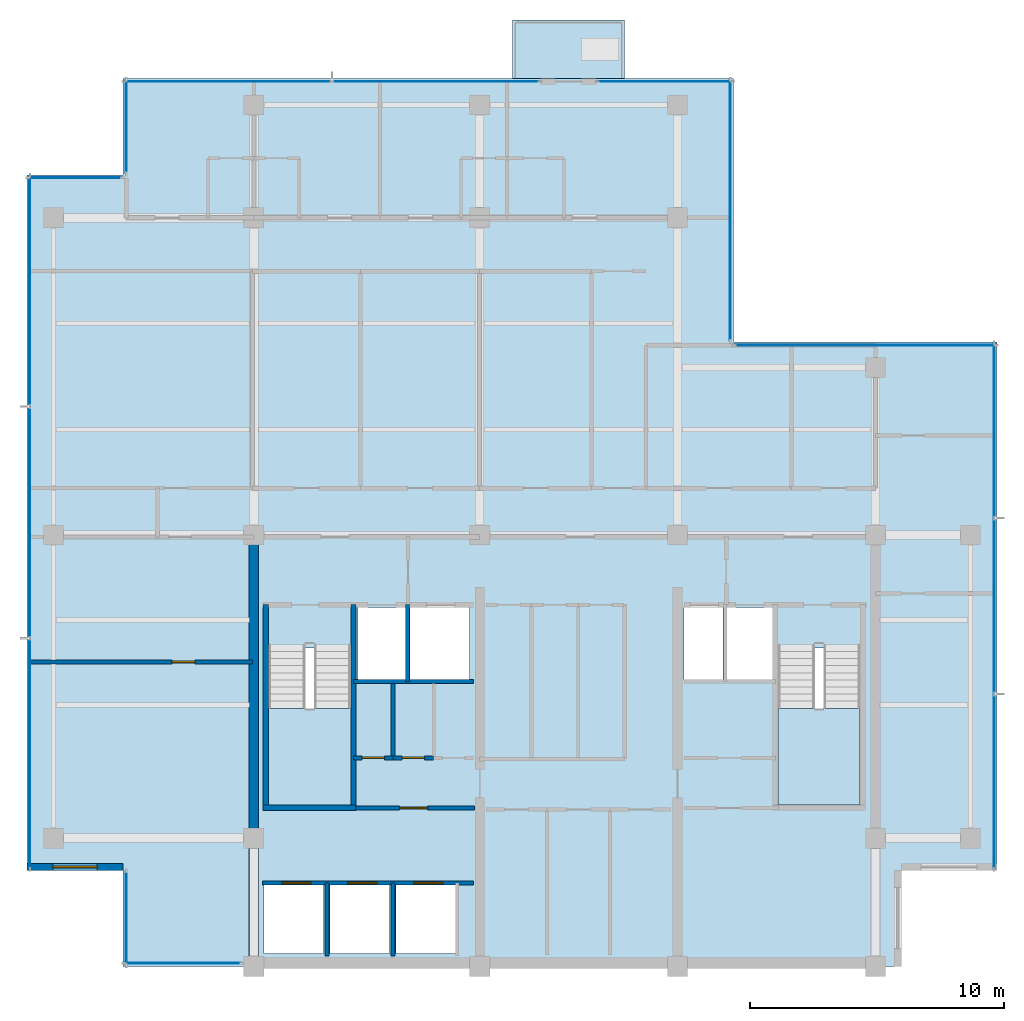
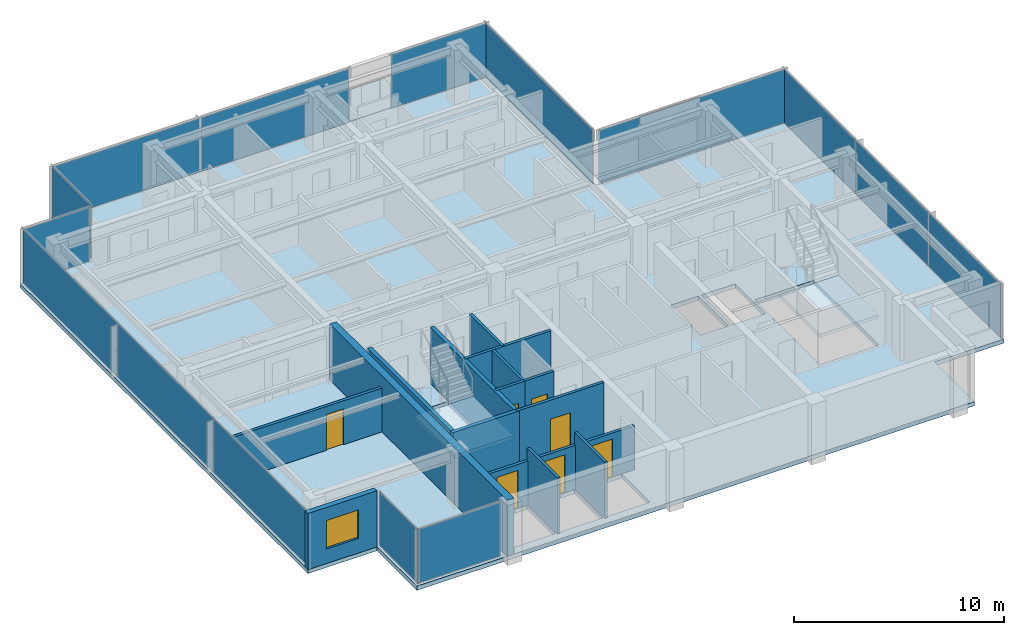
# One storey, part 5 of 12: 15 plates, 15 walls, 7 doors, 4 slabs, 1 window, 8 openings, 12 elements without a shape of their own.
"""IFC4 building model written with IfcOpenShell, lengths in metres."""

from ifc_helpers import new_model, si_unit, direction, frame, frame_2d, origin, origin_2d, place, context, subcontext, project, spatial, polyline, rectangle, outline, extrude, material, layer, layer_set, type_object, element, fill, aggregate, save


model = new_model("IFC4")

# Units and contexts
model_context = context("Model", 3, precision=1e-05, world=origin(), true_north=direction((0.0, 1.0)))
body_context = subcontext(model_context, "Body", "Model", "MODEL_VIEW")
ifc_project = project(units=[si_unit("LENGTHUNIT", "METRE"), si_unit("AREAUNIT", "SQUARE_METRE"), si_unit("VOLUMEUNIT", "CUBIC_METRE"), si_unit("PLANEANGLEUNIT", "RADIAN"), si_unit("MASSUNIT", "GRAM", prefix="KILO")], contexts=[model_context])

# Site, building, storey
site_placement = place(None, origin())
site = spatial("IfcSite", under=ifc_project, at=site_placement, CompositionType="ELEMENT")
building_placement = place(site_placement, origin())
building = spatial("IfcBuilding", under=site, at=building_placement, Name="Qalmaran Belvedere Hotel", CompositionType="ELEMENT")
storey_placement = place(building_placement, frame((0.0, 0.0, 252.89990234375)))
storey = spatial("IfcBuildingStorey", under=building, at=storey_placement, Name="L65", CompositionType="ELEMENT", Elevation=252.89990234375)

# Curtain wall, plate
ifc_material_1 = material(Name="Anodised Bronze Aluminium", Category="aluminium")
ifc_layer_1 = layer(ifc_material_1, 0.18505859375, Name="Anodised Bronze Aluminium")
ifc_layer_set_1 = layer_set([ifc_layer_1], Name="Anodised Bronze Aluminium")
curtain_wall_type = type_object("IfcCurtainWallType", Name="CW6-TOWER-SKY", PredefinedType="NOTDEFINED", material=ifc_layer_set_1)
curtain_wall_1_placement = place(storey_placement, origin())
curtain_wall_1 = element("IfcCurtainWall", 1, at=curtain_wall_1_placement, inside=storey, type_object=curtain_wall_type, Name="L65 Curtain Wall CW6", PredefinedType="NOTDEFINED")
ifc_material_2 = material(Name="Solar-Control Double Glazing", Category="glass")
ifc_layer_2 = layer(ifc_material_2, 0.028076171875, Name="Solar-Control Double Glazing")
ifc_layer_set_2 = layer_set([ifc_layer_2], Name="Solar-Control Double Glazing")
plate_type = type_object("IfcPlateType", Name="CWP-VISION-28", PredefinedType="CURTAIN_PANEL", material=ifc_layer_set_2)
plate_1_placement = place(storey_placement, frame((17.5048828125, 3.6201171875, 0.065185546875), z_axis=(0.0, 0.0, 1.0), x_axis=(1.0, 0.0, 0.0)))
plate_1 = element("IfcPlate", 2, at=plate_1_placement, type_object=plate_type, Name="CW6 panel 1.1", PredefinedType="CURTAIN_PANEL", context=body_context, shape_type="SweptSolid", body=[
    extrude(rectangle(XDim=4.580078125, YDim=0.028076171875, at=origin_2d()), origin(), (0.0, 0.0, 1.0), 3.1298828125),
])
aggregate(curtain_wall_1, [plate_1])

# Curtain wall, plates
curtain_wall_2_placement = place(storey_placement, origin())
curtain_wall_2 = element("IfcCurtainWall", 3, at=curtain_wall_2_placement, inside=storey, type_object=curtain_wall_type, Name="L65 Curtain Wall CW6", PredefinedType="NOTDEFINED")
plate_2_placement = place(storey_placement, frame((49.47998046875, 10.782958984375, 0.065185546875), z_axis=(0.0, 0.0, 1.0), x_axis=(0.0, 1.0, 0.0)))
plate_2 = element("IfcPlate", 4, at=plate_2_placement, type_object=plate_type, Name="CW6 panel 1.1", PredefinedType="CURTAIN_PANEL", context=body_context, shape_type="SweptSolid", body=[
    extrude(rectangle(XDim=6.8359375, YDim=0.028076171875, at=origin_2d()), origin(), (0.0, 0.0, 1.0), 3.1298828125),
])
plate_3_placement = place(storey_placement, frame((49.47998046875, 17.699951171875, 0.065185546875), z_axis=(0.0, 0.0, 1.0), x_axis=(0.0, 1.0, 0.0)))
plate_3 = element("IfcPlate", 5, at=plate_3_placement, type_object=plate_type, Name="CW6 panel 2.1", PredefinedType="CURTAIN_PANEL", context=body_context, shape_type="SweptSolid", body=[
    extrude(rectangle(XDim=6.868408203125, YDim=0.028076171875, at=origin_2d()), origin(), (0.0, 0.0, 1.0), 3.1298828125),
])
plate_4_placement = place(storey_placement, frame((49.47998046875, 24.6171875, 0.065185546875), z_axis=(0.0, 0.0, 1.0), x_axis=(0.0, 1.0, 0.0)))
plate_4 = element("IfcPlate", 6, at=plate_4_placement, type_object=plate_type, Name="CW6 panel 3.1", PredefinedType="CURTAIN_PANEL", context=body_context, shape_type="SweptSolid", body=[
    extrude(rectangle(XDim=6.8359375, YDim=0.028076171875, at=origin_2d()), origin(), (0.0, 0.0, 1.0), 3.1298828125),
])
aggregate(curtain_wall_2, [plate_2, plate_3, plate_4])

# Curtain wall, plate
curtain_wall_3_placement = place(storey_placement, origin())
curtain_wall_3 = element("IfcCurtainWall", 7, at=curtain_wall_3_placement, inside=storey, type_object=curtain_wall_type, Name="L65 Curtain Wall CW6", PredefinedType="NOTDEFINED")
plate_5_placement = place(storey_placement, frame((44.39990234375, 27.97998046875, 0.065185546875), z_axis=(0.0, 0.0, 1.0), x_axis=(-1.0, 0.0, 0.0)))
plate_5 = element("IfcPlate", 8, at=plate_5_placement, type_object=plate_type, Name="CW6 panel 1.1", PredefinedType="CURTAIN_PANEL", context=body_context, shape_type="SweptSolid", body=[
    extrude(rectangle(XDim=10.27001953125, YDim=0.028076171875, at=origin_2d()), origin(), (0.0, 0.0, 1.0), 3.1298828125),
])
aggregate(curtain_wall_3, [plate_5])

curtain_wall_4_placement = place(storey_placement, origin())
curtain_wall_4 = element("IfcCurtainWall", 9, at=curtain_wall_4_placement, inside=storey, type_object=curtain_wall_type, Name="L65 Curtain Wall CW6", PredefinedType="NOTDEFINED")
plate_6_placement = place(storey_placement, frame((39.080078125, 33.300048828125, 0.065185546875), z_axis=(0.0, 0.0, 1.0), x_axis=(0.0, 1.0, 0.0)))
plate_6 = element("IfcPlate", 10, at=plate_6_placement, type_object=plate_type, Name="CW6 panel 1.1", PredefinedType="CURTAIN_PANEL", context=body_context, shape_type="SweptSolid", body=[
    extrude(rectangle(XDim=10.27001953125, YDim=0.028076171875, at=origin_2d()), origin(), (0.0, 0.0, 1.0), 3.1298828125),
])
aggregate(curtain_wall_4, [plate_6])

# Curtain wall, plates
curtain_wall_5_placement = place(storey_placement, origin())
curtain_wall_5 = element("IfcCurtainWall", 11, at=curtain_wall_5_placement, inside=storey, type_object=curtain_wall_type, Name="L65 Curtain Wall CW6", PredefinedType="NOTDEFINED")
plate_7_placement = place(storey_placement, frame((27.47119140625, 38.3798828125, 0.065185546875), z_axis=(0.0, 0.0, 1.0), x_axis=(-1.0, 0.0, 0.0)))
plate_7 = element("IfcPlate", 12, at=plate_7_placement, type_object=plate_type, Name="CW6 panel 1.1", PredefinedType="CURTAIN_PANEL", context=body_context, shape_type="SweptSolid", body=[
    extrude(rectangle(XDim=8.12744140625, YDim=0.028076171875, at=origin_2d()), origin(), (0.0, 0.0, 1.0), 3.1298828125),
])
plate_8_placement = place(storey_placement, frame((19.27880859375, 38.3798828125, 0.065185546875), z_axis=(0.0, 0.0, 1.0), x_axis=(-1.0, 0.0, 0.0)))
plate_8 = element("IfcPlate", 13, at=plate_8_placement, type_object=plate_type, Name="CW6 panel 2.1", PredefinedType="CURTAIN_PANEL", context=body_context, shape_type="SweptSolid", body=[
    extrude(rectangle(XDim=8.12744140625, YDim=0.028076171875, at=origin_2d()), origin(), (0.0, 0.0, 1.0), 3.1298828125),
])
aggregate(curtain_wall_5, [plate_7, plate_8])

# Curtain wall, plate
curtain_wall_6_placement = place(storey_placement, origin())
curtain_wall_6 = element("IfcCurtainWall", 14, at=curtain_wall_6_placement, inside=storey, type_object=curtain_wall_type, Name="L65 Curtain Wall CW6", PredefinedType="NOTDEFINED")
plate_9_placement = place(storey_placement, frame((36.5, 38.3798828125, 0.065185546875), z_axis=(0.0, 0.0, 1.0), x_axis=(-1.0, 0.0, 0.0)))
plate_9 = element("IfcPlate", 15, at=plate_9_placement, type_object=plate_type, Name="CW6 panel 1.1", PredefinedType="CURTAIN_PANEL", context=body_context, shape_type="SweptSolid", body=[
    extrude(rectangle(XDim=5.27001953125, YDim=0.028076171875, at=origin_2d()), origin(), (0.0, 0.0, 1.0), 3.1298828125),
])
aggregate(curtain_wall_6, [plate_9])

curtain_wall_7_placement = place(storey_placement, origin())
curtain_wall_7 = element("IfcCurtainWall", 16, at=curtain_wall_7_placement, inside=storey, type_object=curtain_wall_type, Name="L65 Curtain Wall CW6", PredefinedType="NOTDEFINED")
plate_10_placement = place(storey_placement, frame((15.27001953125, 36.60009765625, 0.065185546875), z_axis=(0.0, 0.0, 1.0), x_axis=(0.0, -1.0, 0.0)))
plate_10 = element("IfcPlate", 17, at=plate_10_placement, type_object=plate_type, Name="CW6 panel 1.1", PredefinedType="CURTAIN_PANEL", context=body_context, shape_type="SweptSolid", body=[
    extrude(rectangle(XDim=3.669921875, YDim=0.028076171875, at=origin_2d()), origin(), (0.0, 0.0, 1.0), 3.1298828125),
])
aggregate(curtain_wall_7, [plate_10])

curtain_wall_8_placement = place(storey_placement, origin())
curtain_wall_8 = element("IfcCurtainWall", 18, at=curtain_wall_8_placement, inside=storey, type_object=curtain_wall_type, Name="L65 Curtain Wall CW6", PredefinedType="NOTDEFINED")
plate_11_placement = place(storey_placement, frame((13.25, 34.580078125, 0.065185546875), z_axis=(0.0, 0.0, 1.0), x_axis=(-1.0, 0.0, 0.0)))
plate_11 = element("IfcPlate", 19, at=plate_11_placement, type_object=plate_type, Name="CW6 panel 1.1", PredefinedType="CURTAIN_PANEL", context=body_context, shape_type="SweptSolid", body=[
    extrude(rectangle(XDim=3.669921875, YDim=0.028076171875, at=origin_2d()), origin(), (0.0, 0.0, 1.0), 3.1298828125),
])
aggregate(curtain_wall_8, [plate_11])

# Curtain wall, plates
curtain_wall_9_placement = place(storey_placement, origin())
curtain_wall_9 = element("IfcCurtainWall", 20, at=curtain_wall_9_placement, inside=storey, type_object=curtain_wall_type, Name="L65 Curtain Wall CW6", PredefinedType="NOTDEFINED")
plate_12_placement = place(storey_placement, frame((11.469970703125, 30.1171875, 0.065185546875), z_axis=(0.0, 0.0, 1.0), x_axis=(0.0, -1.0, 0.0)))
plate_12 = element("IfcPlate", 21, at=plate_12_placement, type_object=plate_type, Name="CW6 panel 1.1", PredefinedType="CURTAIN_PANEL", context=body_context, shape_type="SweptSolid", body=[
    extrude(rectangle(XDim=9.035888671875, YDim=0.028076171875, at=origin_2d()), origin(), (0.0, 0.0, 1.0), 3.1298828125),
])
plate_13_placement = place(storey_placement, frame((11.469970703125, 21.0, 0.065185546875), z_axis=(0.0, 0.0, 1.0), x_axis=(0.0, -1.0, 0.0)))
plate_13 = element("IfcPlate", 22, at=plate_13_placement, type_object=plate_type, Name="CW6 panel 2.1", PredefinedType="CURTAIN_PANEL", context=body_context, shape_type="SweptSolid", body=[
    extrude(rectangle(XDim=9.068359375, YDim=0.028076171875, at=origin_2d()), origin(), (0.0, 0.0, 1.0), 3.1298828125),
])
plate_14_placement = place(storey_placement, frame((11.469970703125, 11.8828125, 0.065185546875), z_axis=(0.0, 0.0, 1.0), x_axis=(0.0, -1.0, 0.0)))
plate_14 = element("IfcPlate", 23, at=plate_14_placement, type_object=plate_type, Name="CW6 panel 3.1", PredefinedType="CURTAIN_PANEL", context=body_context, shape_type="SweptSolid", body=[
    extrude(rectangle(XDim=9.035888671875, YDim=0.028076171875, at=origin_2d()), origin(), (0.0, 0.0, 1.0), 3.1298828125),
])
aggregate(curtain_wall_9, [plate_12, plate_13, plate_14])

# Curtain wall, plate
curtain_wall_10_placement = place(storey_placement, origin())
curtain_wall_10 = element("IfcCurtainWall", 24, at=curtain_wall_10_placement, inside=storey, type_object=curtain_wall_type, Name="L65 Curtain Wall CW6", PredefinedType="NOTDEFINED")
plate_15_placement = place(storey_placement, frame((15.27001953125, 5.39990234375, 0.065185546875), z_axis=(0.0, 0.0, 1.0), x_axis=(0.0, -1.0, 0.0)))
plate_15 = element("IfcPlate", 25, at=plate_15_placement, type_object=plate_type, Name="CW6 panel 1.1", PredefinedType="CURTAIN_PANEL", context=body_context, shape_type="SweptSolid", body=[
    extrude(rectangle(XDim=3.669921875, YDim=0.028076171875, at=origin_2d()), origin(), (0.0, 0.0, 1.0), 3.1298828125),
])
aggregate(curtain_wall_10, [plate_15])

# Slab
ifc_material_3 = material(Name="Concrete C40/50", Category="concrete")
ifc_layer_3 = layer(ifc_material_3, 0.219970703125, Name="Concrete C40/50")
ifc_layer_set_3 = layer_set([ifc_layer_3], Name="Concrete C40/50")
slab_type_1 = type_object("IfcSlabType", Name="SLB-BAL-220", PredefinedType="USERDEFINED", material=ifc_layer_set_3)
slab_1_placement = place(storey_placement, frame((0.0, 0.0, -0.219970703125)))
element("IfcSlab", 26, at=slab_1_placement, inside=storey, type_object=slab_type_1, Name="L65 Planted Tree Balcony Slab 1", ObjectType="BALCONY", PredefinedType="USERDEFINED", context=body_context, shape_type="SweptSolid", body=[
    extrude(outline(polyline([(30.5, 38.5), (34.89990234375, 38.5), (34.89990234375, 40.800048828125), (30.5, 40.800048828125), (30.5, 38.5)])), origin(), (0.0, 0.0, 1.0), 0.219970703125),
])

# Stair, slab
stair_type_1 = type_object("IfcStairType", Name="STR-ST-1-1450-R1750", PredefinedType="HALF_TURN_STAIR", material=ifc_material_3)
stair_1_placement = place(storey_placement, origin())
stair_1 = element("IfcStair", 27, at=stair_1_placement, inside=storey, type_object=stair_type_1, Name="L65 West Core Exit Stair ST-1", PredefinedType="HALF_TURN_STAIR")
ifc_layer_4 = layer(ifc_material_3, 0.199951171875, Name="Concrete C40/50")
ifc_layer_set_4 = layer_set([ifc_layer_4], Name="Concrete C40/50")
slab_type_2 = type_object("IfcSlabType", Name="SLB-STAIR-LANDING-200", PredefinedType="LANDING", material=ifc_layer_set_4)
slab_2_placement = place(storey_placement, frame((0.0, 0.0, 1.550048828125)))
slab_2 = element("IfcSlab", 28, at=slab_2_placement, type_object=slab_type_2, Name="ST-1 landing 1", PredefinedType="LANDING", context=body_context, shape_type="SweptSolid", body=[
    extrude(outline(polyline([(20.8798828125, 13.669921875), (20.8798828125, 9.85009765625), (24.1201171875, 9.85009765625), (24.1201171875, 13.669921875), (20.8798828125, 13.669921875)])), origin(), (0.0, 0.0, 1.0), 0.199951171875),
])
aggregate(stair_1, [slab_2])

stair_type_2 = type_object("IfcStairType", Name="STR-ST-2-1450-R1750", PredefinedType="HALF_TURN_STAIR", material=ifc_material_3)
stair_2_placement = place(storey_placement, origin())
stair_2 = element("IfcStair", 29, at=stair_2_placement, inside=storey, type_object=stair_type_2, Name="L65 East Core Exit Stair ST-2", PredefinedType="HALF_TURN_STAIR")
slab_3_placement = place(storey_placement, frame((0.0, 0.0, 1.550048828125)))
slab_3 = element("IfcSlab", 30, at=slab_3_placement, type_object=slab_type_2, Name="ST-2 landing 1", PredefinedType="LANDING", context=body_context, shape_type="SweptSolid", body=[
    extrude(outline(polyline([(40.9599609375, 13.669921875), (40.9599609375, 9.85009765625), (44.199951171875, 9.85009765625), (44.199951171875, 13.669921875), (40.9599609375, 13.669921875)])), origin(), (0.0, 0.0, 1.0), 0.199951171875),
])
aggregate(stair_2, [slab_3])

# Slab
ifc_layer_5 = layer(ifc_material_3, 0.239990234375, Name="Concrete C40/50")
ifc_layer_set_5 = layer_set([ifc_layer_5], Name="Concrete C40/50")
slab_type_3 = type_object("IfcSlabType", Name="SLB-Z4-240", PredefinedType="FLOOR", material=ifc_layer_set_5)
slab_4_placement = place(storey_placement, frame((0.0, 0.0, -0.239990234375)))
element("IfcSlab", 31, at=slab_4_placement, inside=storey, type_object=slab_type_3, Name="L65 Structural Floor Slab", PredefinedType="FLOOR", context=body_context, shape_type="SweptSolid", body=[
    extrude(outline(polyline([(15.14990234375, 3.5), (45.800048828125, 3.5), (45.800048828125, 7.300048828125), (49.60009765625, 7.300048828125), (49.60009765625, 28.10009765625), (39.199951171875, 28.10009765625), (39.199951171875, 38.5), (15.14990234375, 38.5), (15.14990234375, 34.699951171875), (11.35009765625, 34.699951171875), (11.35009765625, 7.300048828125), (15.14990234375, 7.300048828125), (15.14990234375, 3.5)]), holes=[polyline([(20.8798828125, 9.85009765625), (24.1201171875, 9.85009765625), (24.1201171875, 16.0400390625), (20.8798828125, 16.0400390625), (20.8798828125, 9.85009765625)]), polyline([(40.9599609375, 9.85009765625), (44.199951171875, 9.85009765625), (44.199951171875, 16.0400390625), (40.9599609375, 16.0400390625), (40.9599609375, 9.85009765625)]), polyline([(20.699951171875, 4.0), (23.050048828125, 4.0), (23.050048828125, 6.699951171875), (20.699951171875, 6.699951171875), (20.699951171875, 4.0)]), polyline([(23.300048828125, 4.0), (25.64990234375, 4.0), (25.64990234375, 6.699951171875), (23.300048828125, 6.699951171875), (23.300048828125, 4.0)]), polyline([(25.89990234375, 4.0), (28.25, 4.0), (28.25, 6.699951171875), (25.89990234375, 6.699951171875), (25.89990234375, 4.0)]), polyline([(24.39990234375, 14.800048828125), (26.300048828125, 14.800048828125), (26.300048828125, 17.64990234375), (24.39990234375, 17.64990234375), (24.39990234375, 14.800048828125)]), polyline([(38.949951171875, 14.800048828125), (40.820068359375, 14.800048828125), (40.820068359375, 17.64990234375), (38.949951171875, 17.64990234375), (38.949951171875, 14.800048828125)]), polyline([(26.449951171875, 14.800048828125), (28.800048828125, 14.800048828125), (28.800048828125, 17.64990234375), (26.449951171875, 17.64990234375), (26.449951171875, 14.800048828125)]), polyline([(37.25, 14.800048828125), (38.800048828125, 14.800048828125), (38.800048828125, 17.64990234375), (37.25, 17.64990234375), (37.25, 14.800048828125)])]), origin(), (0.0, 0.0, 1.0), 0.239990234375),
])

# Wall
ifc_material_4 = material(Name="Concrete C50/60", Category="concrete")
ifc_layer_6 = layer(ifc_material_4, 0.3798828125, Name="Concrete C50/60")
ifc_layer_set_6 = layer_set([ifc_layer_6], Name="Concrete C50/60")
wall_type_1 = type_object("IfcWallType", Name="WL-CORE-380-C50", PredefinedType="SHEAR", material=ifc_layer_set_6)
wall_1_placement = place(storey_placement, frame((20.300048828125, 3.5, 0.0), z_axis=(0.0, 0.0, 1.0), x_axis=(0.0, 1.0, 0.0)))
element("IfcWall", 32, at=wall_1_placement, inside=storey, type_object=wall_type_1, Name="L65 West Core Shear Wall", PredefinedType="SHEAR", context=body_context, shape_type="SweptSolid", body=[
    extrude(rectangle(XDim=16.89990234375, YDim=0.3798828125, at=frame_2d((8.449951171875, 0.0))), origin(), (0.0, 0.0, 1.0), 3.260009765625),
])

# Wall, opening, window
ifc_material_5 = material(Name="Anodised Bronze Cladding")
ifc_layer_7 = layer(ifc_material_5, 0.280029296875, Name="Anodised Bronze Cladding")
ifc_layer_set_7 = layer_set([ifc_layer_7], Name="Anodised Bronze Cladding")
wall_type_2 = type_object("IfcWallType", Name="WL-EXT-BRNZ-280", PredefinedType="SOLIDWALL", material=ifc_layer_set_7)
wall_2_placement = place(storey_placement, frame((11.35009765625, 7.419921875, 0.0), z_axis=(0.0, 0.0, 1.0), x_axis=(1.0, 0.0, 0.0)))
wall_2 = element("IfcWall", 33, at=wall_2_placement, inside=storey, type_object=wall_type_2, Name="L65 Corner Notch Wall 10", PredefinedType="SOLIDWALL", context=body_context, shape_type="SweptSolid", body=[
    extrude(rectangle(XDim=3.7998046875, YDim=0.280029296875, at=frame_2d((1.89990234375, 0.0))), origin(), (0.0, 0.0, 1.0), 3.260009765625),
])
opening_1_placement = place(wall_2_placement, frame((1.02490234375, 0.0, 0.85009765625)))
opening_1 = element("IfcOpeningElement", 34, at=opening_1_placement, cuts=wall_2, Name="Opening W-N17", PredefinedType="OPENING", context=body_context, shape_type="SweptSolid", body=[
    extrude(rectangle(XDim=1.75, YDim=1.64990234375, at=frame_2d((0.875, 0.824951171875))), frame((0.0, 0.14990234375, 0.0), z_axis=(0.0, -1.0, 0.0), x_axis=(1.0, 0.0, 0.0)), (0.0, 0.0, 1.0), 0.300048828125),
])
window_type = type_object("IfcWindowType", Name="WN-NTC-1750X1650", PartitioningType="SINGLE_PANEL", PredefinedType="WINDOW", material=ifc_material_2)
window_placement = place(opening_1_placement, origin())
window = element("IfcWindow", 35, at=window_placement, inside=storey, type_object=window_type, Name="L65 Corner Notch Window 10", OverallHeight=1.64990234375, OverallWidth=1.75, PartitioningType="SINGLE_PANEL", PredefinedType="WINDOW", context=body_context, shape_type="SweptSolid", body=[
    extrude(rectangle(XDim=1.75, YDim=1.64990234375, at=frame_2d((0.875, 0.824951171875))), frame((0.0, 0.030029296875, 0.0), z_axis=(0.0, -1.0, 0.0), x_axis=(1.0, 0.0, 0.0)), (0.0, 0.0, 1.0), 0.06005859375),
])
fill(opening_1, window)

# Walls
ifc_material_6 = material(Name="Gypsum Stud Partition")
ifc_layer_8 = layer(ifc_material_6, 0.14990234375, Name="Gypsum Stud Partition")
ifc_layer_set_8 = layer_set([ifc_layer_8], Name="Gypsum Stud Partition")
wall_type_3 = type_object("IfcWallType", Name="WL-INT-150-EI120", PredefinedType="PARTITIONING", material=ifc_layer_set_8)
wall_3_placement = place(storey_placement, frame((26.360107421875, 14.719970703125, 0.0), z_axis=(0.0, 0.0, 1.0), x_axis=(0.0, 1.0, 0.0)))
element("IfcWall", 36, at=wall_3_placement, inside=storey, type_object=wall_type_3, Name="L65 Partition WL-FF1M-L65", PredefinedType="PARTITIONING", context=body_context, shape_type="SweptSolid", body=[
    extrude(rectangle(XDim=3.0400390625, YDim=0.14990234375, at=frame_2d((1.52001953125, 0.0))), origin(), (0.0, 0.0, 1.0), 3.260009765625),
])
for number, where, z_axis, x_axis, name in (
    (37, (23.179931640625, 3.89990234375, 0.0), (0.0, 0.0, 1.0), (0.0, 1.0, 0.0), "L65 Partition WL-POM1-L65"),
    (38, (25.780029296875, 3.89990234375, 0.0), (0.0, 0.0, 1.0), (0.0, 1.0, 0.0), "L65 Partition WL-POM2-L65"),
):
    element("IfcWall", number, at=place(storey_placement, frame(where, z_axis=z_axis, x_axis=x_axis)), inside=storey, type_object=wall_type_3, Name=name, PredefinedType="PARTITIONING", context=body_context, shape_type="SweptSolid", body=[
        extrude(rectangle(XDim=2.880126953125, YDim=0.14990234375, at=frame_2d((1.43994140625, 0.0))), origin(), (0.0, 0.0, 1.0), 3.260009765625),
    ])
ifc_layer_9 = layer(ifc_material_6, 0.14990234375, Name="Gypsum Stud Partition")
ifc_layer_set_9 = layer_set([ifc_layer_9], Name="Gypsum Stud Partition")
wall_type_4 = type_object("IfcWallType", Name="WL-INT-150-EI60", PredefinedType="PARTITIONING", material=ifc_layer_set_9)
wall_4_placement = place(storey_placement, frame((25.781005859375, 11.719970703125, 0.0), z_axis=(0.0, 0.0, 1.0), x_axis=(0.0, 1.0, 0.0)))
element("IfcWall", 39, at=wall_4_placement, inside=storey, type_object=wall_type_4, Name="L65 Partition WL-L65-KWV1", PredefinedType="PARTITIONING", context=body_context, shape_type="SweptSolid", body=[
    extrude(rectangle(XDim=2.929931640625, YDim=0.14990234375, at=frame_2d((1.46484375, 0.0))), origin(), (0.0, 0.0, 1.0), 3.260009765625),
])
ifc_layer_10 = layer(ifc_material_6, 0.159912109375, Name="Gypsum Stud Partition")
ifc_layer_set_10 = layer_set([ifc_layer_10], Name="Gypsum Stud Partition")
wall_type_5 = type_object("IfcWallType", Name="WL-INT-160-EI120", PredefinedType="PARTITIONING", material=ifc_layer_set_10)
wall_5_placement = place(storey_placement, frame((24.219970703125, 14.719970703125, 0.0), z_axis=(0.0, 0.0, 1.0), x_axis=(1.0, 0.0, 0.0)))
element("IfcWall", 40, at=wall_5_placement, inside=storey, type_object=wall_type_5, Name="L65 Partition WL-FF1S-L65", PredefinedType="PARTITIONING", context=body_context, shape_type="SweptSolid", body=[
    extrude(rectangle(XDim=4.72998046875, YDim=0.159912109375, at=frame_2d((2.364990234375, 0.0))), origin(), (0.0, 0.0, 1.0), 3.260009765625),
])

# Wall, openings, doors
wall_6_placement = place(storey_placement, frame((20.64990234375, 6.780029296875, 0.0), z_axis=(0.0, 0.0, 1.0), x_axis=(1.0, 0.0, 0.0)))
wall_6 = element("IfcWall", 41, at=wall_6_placement, inside=storey, type_object=wall_type_5, Name="L65 Partition WL-POS-L65", PredefinedType="PARTITIONING", context=body_context, shape_type="SweptSolid", body=[
    extrude(rectangle(XDim=8.300048828125, YDim=0.159912109375, at=frame_2d((4.14990234375, 0.0))), origin(), (0.0, 0.0, 1.0), 2.550048828125),
])
opening_2_placement = place(wall_6_placement, frame((0.75, 0.0, 0.0)))
opening_2 = element("IfcOpeningElement", 42, at=opening_2_placement, cuts=wall_6, Name="Opening LD-PO", PredefinedType="OPENING", context=body_context, shape_type="SweptSolid", body=[
    extrude(rectangle(XDim=1.14990234375, YDim=2.199951171875, at=frame_2d((0.574951171875, 1.10009765625))), frame((0.0, 0.08984375, 0.0), z_axis=(0.0, -1.0, 0.0), x_axis=(1.0, 0.0, 0.0)), (0.0, 0.0, 1.0), 0.179931640625),
])
opening_3_placement = place(wall_6_placement, frame((3.35009765625, 0.0, 0.0)))
opening_3 = element("IfcOpeningElement", 43, at=opening_3_placement, cuts=wall_6, Name="Opening LD-PO", PredefinedType="OPENING", context=body_context, shape_type="SweptSolid", body=[
    extrude(rectangle(XDim=1.14990234375, YDim=2.199951171875, at=frame_2d((0.574951171875, 1.10009765625))), frame((0.0, 0.08984375, 0.0), z_axis=(0.0, -1.0, 0.0), x_axis=(1.0, 0.0, 0.0)), (0.0, 0.0, 1.0), 0.179931640625),
])
opening_4_placement = place(wall_6_placement, frame((5.949951171875, 0.0, 0.0)))
opening_4 = element("IfcOpeningElement", 44, at=opening_4_placement, cuts=wall_6, Name="Opening LD-PO", PredefinedType="OPENING", context=body_context, shape_type="SweptSolid", body=[
    extrude(rectangle(XDim=1.14990234375, YDim=2.199951171875, at=frame_2d((0.574951171875, 1.10009765625))), frame((0.0, 0.08984375, 0.0), z_axis=(0.0, -1.0, 0.0), x_axis=(1.0, 0.0, 0.0)), (0.0, 0.0, 1.0), 0.179931640625),
])
door_type_1 = type_object("IfcDoorType", Name="DR-LIFT-PO-1150X2200", OperationType="DOUBLE_DOOR_SLIDING", PredefinedType="DOOR", material=ifc_material_1)
door_1_placement = place(opening_2_placement, origin())
door_1 = element("IfcDoor", 45, at=door_1_placement, inside=storey, type_object=door_type_1, Name="L65 PO1 Shuttle Landing Door", OperationType="DOUBLE_DOOR_SLIDING", OverallHeight=2.199951171875, OverallWidth=1.14990234375, PredefinedType="DOOR", context=body_context, shape_type="SweptSolid", body=[
    extrude(rectangle(XDim=1.14990234375, YDim=2.199951171875, at=frame_2d((0.574951171875, 1.10009765625))), frame((0.0, 0.02490234375, 0.0), z_axis=(0.0, -1.0, 0.0), x_axis=(1.0, 0.0, 0.0)), (0.0, 0.0, 1.0), 0.050048828125),
])
fill(opening_2, door_1)
door_2_placement = place(opening_3_placement, origin())
door_2 = element("IfcDoor", 46, at=door_2_placement, inside=storey, type_object=door_type_1, Name="L65 PO2 Shuttle Landing Door", OperationType="DOUBLE_DOOR_SLIDING", OverallHeight=2.199951171875, OverallWidth=1.14990234375, PredefinedType="DOOR", context=body_context, shape_type="SweptSolid", body=[
    extrude(rectangle(XDim=1.14990234375, YDim=2.199951171875, at=frame_2d((0.574951171875, 1.10009765625))), frame((0.0, 0.02490234375, 0.0), z_axis=(0.0, -1.0, 0.0), x_axis=(1.0, 0.0, 0.0)), (0.0, 0.0, 1.0), 0.050048828125),
])
fill(opening_3, door_2)
door_3_placement = place(opening_4_placement, origin())
door_3 = element("IfcDoor", 47, at=door_3_placement, inside=storey, type_object=door_type_1, Name="L65 PO3 Shuttle Landing Door", OperationType="DOUBLE_DOOR_SLIDING", OverallHeight=2.199951171875, OverallWidth=1.14990234375, PredefinedType="DOOR", context=body_context, shape_type="SweptSolid", body=[
    extrude(rectangle(XDim=1.14990234375, YDim=2.199951171875, at=frame_2d((0.574951171875, 1.10009765625))), frame((0.0, 0.02490234375, 0.0), z_axis=(0.0, -1.0, 0.0), x_axis=(1.0, 0.0, 0.0)), (0.0, 0.0, 1.0), 0.050048828125),
])
fill(opening_4, door_3)

# Wall, opening, door
wall_7_placement = place(storey_placement, frame((24.199951171875, 9.739990234375, 0.0), z_axis=(0.0, 0.0, 1.0), x_axis=(1.0, 0.0, 0.0)))
wall_7 = element("IfcWall", 48, at=wall_7_placement, inside=storey, type_object=wall_type_5, Name="L65 Partition WL-PON-L65", PredefinedType="PARTITIONING", context=body_context, shape_type="SweptSolid", body=[
    extrude(rectangle(XDim=4.800048828125, YDim=0.159912109375, at=frame_2d((2.39990234375, 0.0))), origin(), (0.0, 0.0, 1.0), 3.260009765625),
])
opening_5_placement = place(wall_7_placement, frame((1.85009765625, 0.0, 0.0)))
opening_5 = element("IfcOpeningElement", 49, at=opening_5_placement, cuts=wall_7, Name="Opening FD90", PredefinedType="OPENING", context=body_context, shape_type="SweptSolid", body=[
    extrude(rectangle(XDim=1.10009765625, YDim=2.14990234375, at=frame_2d((0.550048828125, 1.074951171875))), frame((0.0, 0.08984375, 0.0), z_axis=(0.0, -1.0, 0.0), x_axis=(1.0, 0.0, 0.0)), (0.0, 0.0, 1.0), 0.179931640625),
])
ifc_material_7 = material(Name="Steel S355JR", Category="steel")
door_type_2 = type_object("IfcDoorType", Name="DR-FD90-1100X2150", OperationType="NOTDEFINED", PredefinedType="DOOR", material=ifc_material_7)
door_4_placement = place(opening_5_placement, origin())
door_4 = element("IfcDoor", 50, at=door_4_placement, inside=storey, type_object=door_type_2, Name="L65 Shuttle Lobby Passage Door", OperationType="SINGLE_SWING_RIGHT", OverallHeight=2.14990234375, OverallWidth=1.10009765625, PredefinedType="DOOR", context=body_context, shape_type="SweptSolid", body=[
    extrude(rectangle(XDim=1.10009765625, YDim=2.14990234375, at=frame_2d((0.550048828125, 1.074951171875))), frame((0.0, 0.02490234375, 0.0), z_axis=(0.0, -1.0, 0.0), x_axis=(1.0, 0.0, 0.0)), (0.0, 0.0, 1.0), 0.050048828125),
])
fill(opening_5, door_4)

ifc_layer_11 = layer(ifc_material_6, 0.159912109375, Name="Gypsum Stud Partition")
ifc_layer_set_11 = layer_set([ifc_layer_11], Name="Gypsum Stud Partition")
wall_type_6 = type_object("IfcWallType", Name="WL-INT-160-EI60", PredefinedType="PARTITIONING", material=ifc_layer_set_11)
wall_8_placement = place(storey_placement, frame((24.219970703125, 11.719970703125, 0.0), z_axis=(0.0, 0.0, 1.0), x_axis=(1.0, 0.0, 0.0)))
wall_8 = element("IfcWall", 51, at=wall_8_placement, inside=storey, type_object=wall_type_6, Name="L65 Partition WL-L65-KWE1", PredefinedType="PARTITIONING", context=body_context, shape_type="SweptSolid", body=[
    extrude(rectangle(XDim=1.56103515625, YDim=0.159912109375, at=frame_2d((0.780517578125, 0.0))), origin(), (0.0, 0.0, 1.0), 3.260009765625),
])
opening_6_placement = place(wall_8_placement, frame((0.340576171875, 0.0, 0.0)))
opening_6 = element("IfcOpeningElement", 52, at=opening_6_placement, cuts=wall_8, Name="Opening FD60B", PredefinedType="OPENING", context=body_context, shape_type="SweptSolid", body=[
    extrude(rectangle(XDim=0.8798828125, YDim=2.080078125, at=frame_2d((0.43994140625, 1.0400390625))), frame((0.0, 0.08984375, 0.0), z_axis=(0.0, -1.0, 0.0), x_axis=(1.0, 0.0, 0.0)), (0.0, 0.0, 1.0), 0.179931640625),
])
door_type_3 = type_object("IfcDoorType", Name="DR-FD60B-880X2080", OperationType="NOTDEFINED", PredefinedType="DOOR", material=ifc_material_7)
door_5_placement = place(opening_6_placement, origin())
door_5 = element("IfcDoor", 53, at=door_5_placement, inside=storey, type_object=door_type_3, Name="L65 Staff Core WC Door", OperationType="SINGLE_SWING_RIGHT", OverallHeight=2.080078125, OverallWidth=0.8798828125, PredefinedType="DOOR", context=body_context, shape_type="SweptSolid", body=[
    extrude(rectangle(XDim=0.8798828125, YDim=2.080078125, at=frame_2d((0.43994140625, 1.0400390625))), frame((0.0, 0.02490234375, 0.0), z_axis=(0.0, -1.0, 0.0), x_axis=(1.0, 0.0, 0.0)), (0.0, 0.0, 1.0), 0.050048828125),
])
fill(opening_6, door_5)

wall_9_placement = place(storey_placement, frame((25.781005859375, 11.719970703125, 0.0), z_axis=(0.0, 0.0, 1.0), x_axis=(1.0, 0.0, 0.0)))
wall_9 = element("IfcWall", 54, at=wall_9_placement, inside=storey, type_object=wall_type_6, Name="L65 Partition WL-L65-KWE2", PredefinedType="PARTITIONING", context=body_context, shape_type="SweptSolid", body=[
    extrude(rectangle(XDim=1.608154296875, YDim=0.159912109375, at=frame_2d((0.80419921875, 0.0))), origin(), (0.0, 0.0, 1.0), 3.260009765625),
])
opening_7_placement = place(wall_9_placement, frame((0.364013671875, 0.0, 0.0)))
opening_7 = element("IfcOpeningElement", 55, at=opening_7_placement, cuts=wall_9, Name="Opening FD60B", PredefinedType="OPENING", context=body_context, shape_type="SweptSolid", body=[
    extrude(rectangle(XDim=0.8798828125, YDim=2.080078125, at=frame_2d((0.43994140625, 1.0400390625))), frame((0.0, 0.08984375, 0.0), z_axis=(0.0, -1.0, 0.0), x_axis=(1.0, 0.0, 0.0)), (0.0, 0.0, 1.0), 0.179931640625),
])
door_6_placement = place(opening_7_placement, origin())
door_6 = element("IfcDoor", 56, at=door_6_placement, inside=storey, type_object=door_type_3, Name="L65 Electrical Distribution Room Door", OperationType="SINGLE_SWING_LEFT", OverallHeight=2.080078125, OverallWidth=0.8798828125, PredefinedType="DOOR", context=body_context, shape_type="SweptSolid", body=[
    extrude(rectangle(XDim=0.8798828125, YDim=2.080078125, at=frame_2d((0.43994140625, 1.0400390625))), frame((0.0, 0.02490234375, 0.0), z_axis=(0.0, -1.0, 0.0), x_axis=(1.0, 0.0, 0.0)), (0.0, 0.0, 1.0), 0.050048828125),
])
fill(opening_7, door_6)

wall_10_placement = place(storey_placement, frame((11.469970703125, 15.5, 0.0), z_axis=(0.0, 0.0, 1.0), x_axis=(1.0, 0.0, 0.0)))
wall_10 = element("IfcWall", 57, at=wall_10_placement, inside=storey, type_object=wall_type_6, Name="L65 Partition WL-L65-C4WH1", PredefinedType="PARTITIONING", context=body_context, shape_type="SweptSolid", body=[
    extrude(rectangle(XDim=8.780029296875, YDim=0.159912109375, at=frame_2d((4.39013671875, 0.0))), origin(), (0.0, 0.0, 1.0), 2.550048828125),
])
opening_8_placement = place(wall_10_placement, frame((6.52001953125, 0.0, 0.0), z_axis=(0.0, 0.0, 1.0), x_axis=(-1.0, 0.0, 0.0)))
opening_8 = element("IfcOpeningElement", 58, at=opening_8_placement, cuts=wall_10, Name="Opening FD60S1", PredefinedType="OPENING", context=body_context, shape_type="SweptSolid", body=[
    extrude(rectangle(XDim=0.919921875, YDim=2.080078125, at=frame_2d((0.4599609375, 1.0400390625))), frame((0.0, 0.08984375, 0.0), z_axis=(0.0, -1.0, 0.0), x_axis=(1.0, 0.0, 0.0)), (0.0, 0.0, 1.0), 0.179931640625),
])
ifc_material_8 = material(Name="Engineered Oak Veneer")
door_type_4 = type_object("IfcDoorType", Name="DR-FD60S-920X2080", OperationType="NOTDEFINED", PredefinedType="DOOR", material=ifc_material_8)
door_7_placement = place(opening_8_placement, origin())
door_7 = element("IfcDoor", 59, at=door_7_placement, inside=storey, type_object=door_type_4, Name="L65 SW Panorama Inner Door", OperationType="SINGLE_SWING_RIGHT", OverallHeight=2.080078125, OverallWidth=0.919921875, PredefinedType="DOOR", context=body_context, shape_type="SweptSolid", body=[
    extrude(rectangle(XDim=0.919921875, YDim=2.080078125, at=frame_2d((0.4599609375, 1.0400390625))), frame((0.0, 0.02490234375, 0.0), z_axis=(0.0, -1.0, 0.0), x_axis=(1.0, 0.0, 0.0)), (0.0, 0.0, 1.0), 0.050048828125),
])
fill(opening_8, door_7)

# Walls
ifc_layer_12 = layer(ifc_material_4, 0.2099609375, Name="Concrete C50/60")
ifc_layer_set_12 = layer_set([ifc_layer_12], Name="Concrete C50/60")
wall_type_7 = type_object("IfcWallType", Name="WL-STAIR-210-C50", PredefinedType="SHEAR", material=ifc_layer_set_12)
for number, where, z_axis, x_axis, name in (
    (60, (20.77490234375, 9.7451171875, 0.0), (0.0, 0.0, 1.0), (0.0, 1.0, 0.0), "L65 Stair ST-1 West Bearing Wall"),
    (61, (24.22509765625, 9.7451171875, 0.0), (0.0, 0.0, 1.0), (0.0, 1.0, 0.0), "L65 Stair ST-1 East Bearing Wall"),
):
    element("IfcWall", number, at=place(storey_placement, frame(where, z_axis=z_axis, x_axis=x_axis)), inside=storey, type_object=wall_type_7, Name=name, PredefinedType="SHEAR", context=body_context, shape_type="SweptSolid", body=[
        extrude(rectangle(XDim=8.009765625, YDim=0.2099609375, at=frame_2d((4.0048828125, 0.0))), origin(), (0.0, 0.0, 1.0), 3.260009765625),
    ])
wall_11_placement = place(storey_placement, frame((20.669921875, 9.7451171875, 0.0), z_axis=(0.0, 0.0, 1.0), x_axis=(1.0, 0.0, 0.0)))
element("IfcWall", 62, at=wall_11_placement, inside=storey, type_object=wall_type_7, Name="L65 Stair ST-1 South Bearing Wall", PredefinedType="SHEAR", context=body_context, shape_type="SweptSolid", body=[
    extrude(rectangle(XDim=3.66015625, YDim=0.2099609375, at=frame_2d((1.830078125, 0.0))), origin(), (0.0, 0.0, 1.0), 3.260009765625),
])

save(model, "model.ifc")
